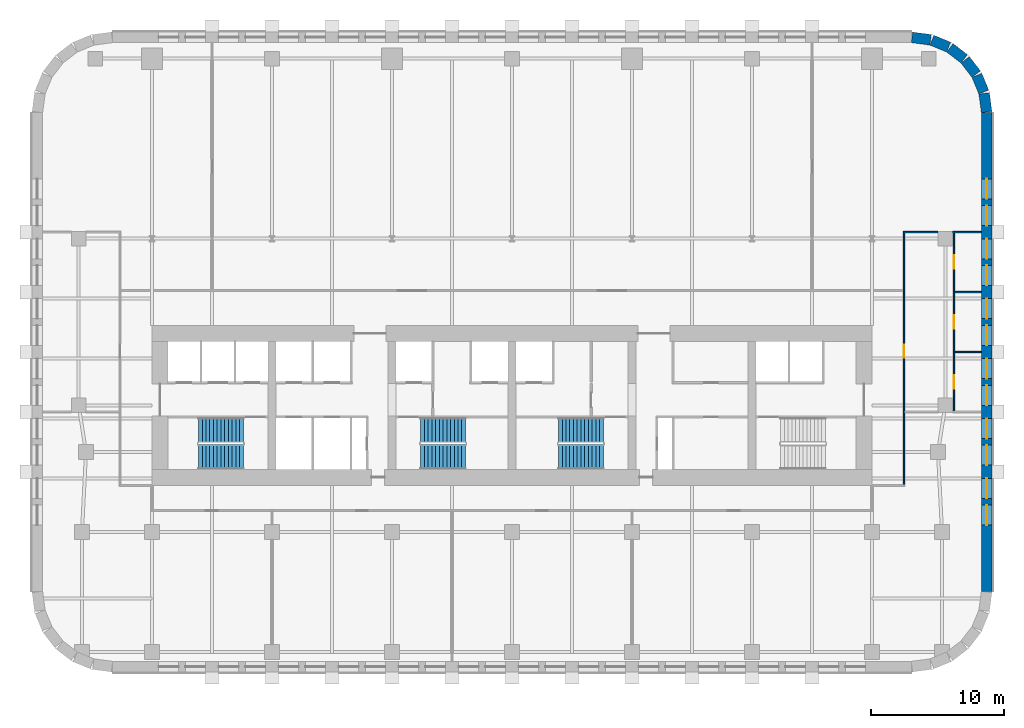
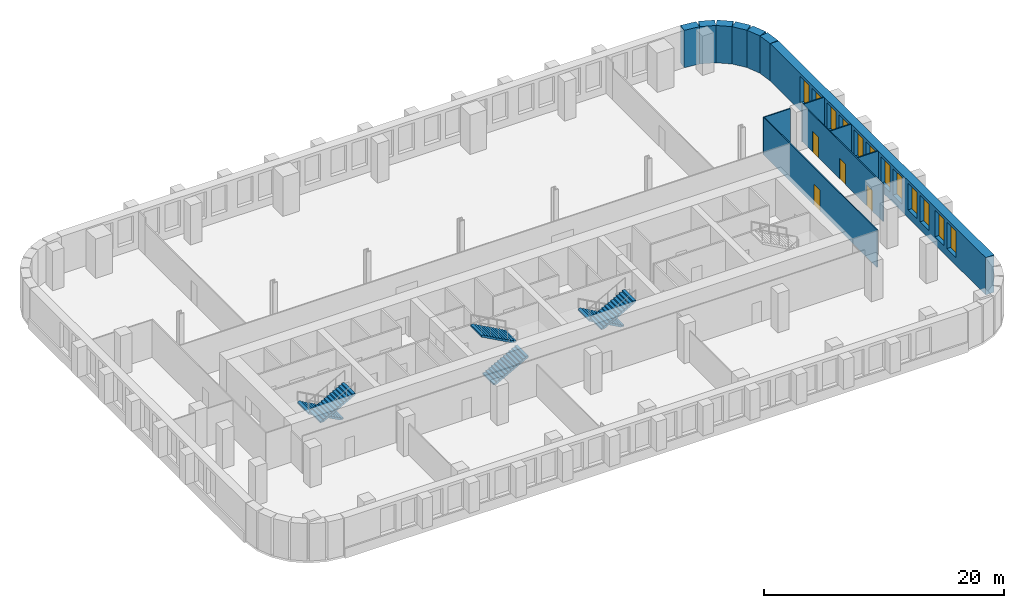
# One storey, part 8 of 11: 13 walls, 12 windows, 6 stair flights, 4 doors, 16 openings, 3 elements without a shape of their own.
"""IFC4 building model written with IfcOpenShell, lengths in metres."""

from ifc_helpers import new_model, si_unit, direction, frame, frame_2d, origin, place, context, subcontext, project, spatial, polyline, rectangle, outline, extrude, material, layer, layer_set, type_object, element, fill, aggregate, save


model = new_model("IFC4")

# Units and contexts
model_context = context("Model", 3, precision=1e-05, world=origin(), true_north=direction((0.0, 1.0)))
body_context = subcontext(model_context, "Body", "Model", "MODEL_VIEW")
ifc_project = project(units=[si_unit("LENGTHUNIT", "METRE"), si_unit("AREAUNIT", "SQUARE_METRE"), si_unit("VOLUMEUNIT", "CUBIC_METRE"), si_unit("PLANEANGLEUNIT", "RADIAN"), si_unit("MASSUNIT", "GRAM", prefix="KILO")], contexts=[model_context])

# Site, building, storey
site_placement = place(None, origin())
site = spatial("IfcSite", under=ifc_project, at=site_placement, CompositionType="ELEMENT")
building_placement = place(site_placement, origin())
building = spatial("IfcBuilding", under=site, at=building_placement, Name="Zellij Exchange Tower", CompositionType="ELEMENT")
storey_placement = place(building_placement, frame((0.0, 0.0, 56.5)))
storey = spatial("IfcBuildingStorey", under=building, at=storey_placement, Name="L10", CompositionType="ELEMENT", Elevation=56.5)

# Wall, openings, windows
ifc_material_1 = material(Name="Precast concrete C40/50", Category="concrete")
ifc_layer_1 = layer(ifc_material_1, 0.800048828125)
ifc_layer_set_1 = layer_set([ifc_layer_1], Name="Precast concrete C40/50")
wall_type_1 = type_object("IfcWallType", Name="ENV-EW1 Precast stone-piered wall 800", PredefinedType="SOLIDWALL", material=ifc_layer_set_1)
wall_1_placement = place(storey_placement, frame((35.60009765625, -21.947509765625, 0.0), z_axis=(0.0, 0.0, 1.0), x_axis=(0.0, 1.0, 0.0)))
wall_1 = element("IfcWall", 1, at=wall_1_placement, inside=storey, type_object=wall_type_1, Name="fac.L10.07", PredefinedType="SOLIDWALL", context=body_context, shape_type="SweptSolid", body=[
    extrude(rectangle(XDim=35.89501953125, YDim=0.800048828125, at=frame_2d((17.947509765625, 0.0))), origin(), (0.0, 0.0, 1.0), 3.800048828125),
])
opening_1_placement = place(wall_1_placement, frame((4.9638671875, 0.0, 0.800048828125)))
opening_1 = element("IfcOpeningElement", 2, at=opening_1_placement, cuts=wall_1, Name="Opening FZ1.25", PredefinedType="OPENING", context=body_context, shape_type="SweptSolid", body=[
    extrude(rectangle(XDim=1.5, YDim=2.699951171875, at=frame_2d((0.75, 1.35009765625))), frame((0.0, 0.412109375, 0.0), z_axis=(0.0, -1.0, 0.0), x_axis=(1.0, 0.0, 0.0)), (0.0, 0.0, 1.0), 0.823974609375),
])
opening_2_placement = place(wall_1_placement, frame((6.9638671875, 0.0, 0.800048828125)))
opening_2 = element("IfcOpeningElement", 3, at=opening_2_placement, cuts=wall_1, Name="Opening FZ1.26", PredefinedType="OPENING", context=body_context, shape_type="SweptSolid", body=[
    extrude(rectangle(XDim=1.5, YDim=2.699951171875, at=frame_2d((0.75, 1.35009765625))), frame((0.0, 0.412109375, 0.0), z_axis=(0.0, -1.0, 0.0), x_axis=(1.0, 0.0, 0.0)), (0.0, 0.0, 1.0), 0.823974609375),
])
opening_3_placement = place(wall_1_placement, frame((9.45751953125, 0.0, 0.800048828125)))
opening_3 = element("IfcOpeningElement", 4, at=opening_3_placement, cuts=wall_1, Name="Opening FZ1.27", PredefinedType="OPENING", context=body_context, shape_type="SweptSolid", body=[
    extrude(rectangle(XDim=1.5, YDim=2.699951171875, at=frame_2d((0.75, 1.35009765625))), frame((0.0, 0.412109375, 0.0), z_axis=(0.0, -1.0, 0.0), x_axis=(1.0, 0.0, 0.0)), (0.0, 0.0, 1.0), 0.823974609375),
])
opening_4_placement = place(wall_1_placement, frame((11.45751953125, 0.0, 0.800048828125)))
opening_4 = element("IfcOpeningElement", 5, at=opening_4_placement, cuts=wall_1, Name="Opening FZ1.28", PredefinedType="OPENING", context=body_context, shape_type="SweptSolid", body=[
    extrude(rectangle(XDim=1.5, YDim=2.699951171875, at=frame_2d((0.75, 1.35009765625))), frame((0.0, 0.412109375, 0.0), z_axis=(0.0, -1.0, 0.0), x_axis=(1.0, 0.0, 0.0)), (0.0, 0.0, 1.0), 0.823974609375),
])
opening_5_placement = place(wall_1_placement, frame((13.950927734375, 0.0, 0.800048828125)))
opening_5 = element("IfcOpeningElement", 6, at=opening_5_placement, cuts=wall_1, Name="Opening FZ1.29", PredefinedType="OPENING", context=body_context, shape_type="SweptSolid", body=[
    extrude(rectangle(XDim=1.5, YDim=2.699951171875, at=frame_2d((0.75, 1.35009765625))), frame((0.0, 0.412109375, 0.0), z_axis=(0.0, -1.0, 0.0), x_axis=(1.0, 0.0, 0.0)), (0.0, 0.0, 1.0), 0.823974609375),
])
opening_6_placement = place(wall_1_placement, frame((15.95068359375, 0.0, 0.800048828125)))
opening_6 = element("IfcOpeningElement", 7, at=opening_6_placement, cuts=wall_1, Name="Opening FZ1.30", PredefinedType="OPENING", context=body_context, shape_type="SweptSolid", body=[
    extrude(rectangle(XDim=1.5, YDim=2.699951171875, at=frame_2d((0.75, 1.35009765625))), frame((0.0, 0.412109375, 0.0), z_axis=(0.0, -1.0, 0.0), x_axis=(1.0, 0.0, 0.0)), (0.0, 0.0, 1.0), 0.823974609375),
])
opening_7_placement = place(wall_1_placement, frame((18.4443359375, 0.0, 0.800048828125)))
opening_7 = element("IfcOpeningElement", 8, at=opening_7_placement, cuts=wall_1, Name="Opening FZ1.31", PredefinedType="OPENING", context=body_context, shape_type="SweptSolid", body=[
    extrude(rectangle(XDim=1.5, YDim=2.699951171875, at=frame_2d((0.75, 1.35009765625))), frame((0.0, 0.412109375, 0.0), z_axis=(0.0, -1.0, 0.0), x_axis=(1.0, 0.0, 0.0)), (0.0, 0.0, 1.0), 0.823974609375),
])
opening_8_placement = place(wall_1_placement, frame((20.4443359375, 0.0, 0.800048828125)))
opening_8 = element("IfcOpeningElement", 9, at=opening_8_placement, cuts=wall_1, Name="Opening FZ1.32", PredefinedType="OPENING", context=body_context, shape_type="SweptSolid", body=[
    extrude(rectangle(XDim=1.5, YDim=2.699951171875, at=frame_2d((0.75, 1.35009765625))), frame((0.0, 0.412109375, 0.0), z_axis=(0.0, -1.0, 0.0), x_axis=(1.0, 0.0, 0.0)), (0.0, 0.0, 1.0), 0.823974609375),
])
opening_9_placement = place(wall_1_placement, frame((22.937744140625, 0.0, 0.800048828125)))
opening_9 = element("IfcOpeningElement", 10, at=opening_9_placement, cuts=wall_1, Name="Opening FZ1.33", PredefinedType="OPENING", context=body_context, shape_type="SweptSolid", body=[
    extrude(rectangle(XDim=1.5, YDim=2.699951171875, at=frame_2d((0.75, 1.35009765625))), frame((0.0, 0.412109375, 0.0), z_axis=(0.0, -1.0, 0.0), x_axis=(1.0, 0.0, 0.0)), (0.0, 0.0, 1.0), 0.823974609375),
])
opening_10_placement = place(wall_1_placement, frame((24.937744140625, 0.0, 0.800048828125)))
opening_10 = element("IfcOpeningElement", 11, at=opening_10_placement, cuts=wall_1, Name="Opening FZ1.34", PredefinedType="OPENING", context=body_context, shape_type="SweptSolid", body=[
    extrude(rectangle(XDim=1.5, YDim=2.699951171875, at=frame_2d((0.75, 1.35009765625))), frame((0.0, 0.412109375, 0.0), z_axis=(0.0, -1.0, 0.0), x_axis=(1.0, 0.0, 0.0)), (0.0, 0.0, 1.0), 0.823974609375),
])
opening_11_placement = place(wall_1_placement, frame((27.43115234375, 0.0, 0.800048828125)))
opening_11 = element("IfcOpeningElement", 12, at=opening_11_placement, cuts=wall_1, Name="Opening FZ1.35", PredefinedType="OPENING", context=body_context, shape_type="SweptSolid", body=[
    extrude(rectangle(XDim=1.5, YDim=2.699951171875, at=frame_2d((0.75, 1.35009765625))), frame((0.0, 0.412109375, 0.0), z_axis=(0.0, -1.0, 0.0), x_axis=(1.0, 0.0, 0.0)), (0.0, 0.0, 1.0), 0.823974609375),
])
opening_12_placement = place(wall_1_placement, frame((29.43115234375, 0.0, 0.800048828125)))
opening_12 = element("IfcOpeningElement", 13, at=opening_12_placement, cuts=wall_1, Name="Opening FZ1.36", PredefinedType="OPENING", context=body_context, shape_type="SweptSolid", body=[
    extrude(rectangle(XDim=1.5, YDim=2.699951171875, at=frame_2d((0.75, 1.35009765625))), frame((0.0, 0.412109375, 0.0), z_axis=(0.0, -1.0, 0.0), x_axis=(1.0, 0.0, 0.0)), (0.0, 0.0, 1.0), 0.823974609375),
])
ifc_material_2 = material(Name="Aluminium frame with insulating glass", Category="aluminium")
window_type = type_object("IfcWindowType", Name="ENV-W6 Window 1500x2700", PartitioningType="SINGLE_PANEL", PredefinedType="WINDOW", material=ifc_material_2)
window_1_placement = place(opening_1_placement, origin())
window_1 = element("IfcWindow", 14, at=window_1_placement, inside=storey, type_object=window_type, Name="Window FZ1.25", OverallHeight=2.699951171875, OverallWidth=1.5, PartitioningType="SINGLE_PANEL", PredefinedType="WINDOW", context=body_context, shape_type="SweptSolid", body=[
    extrude(rectangle(XDim=1.5, YDim=2.699951171875, at=frame_2d((0.75, 1.35009765625))), frame((0.0, 0.030029296875, 0.0), z_axis=(0.0, -1.0, 0.0), x_axis=(1.0, 0.0, 0.0)), (0.0, 0.0, 1.0), 0.06005859375),
])
fill(opening_1, window_1)
window_2_placement = place(opening_2_placement, origin())
window_2 = element("IfcWindow", 15, at=window_2_placement, inside=storey, type_object=window_type, Name="Window FZ1.26", OverallHeight=2.699951171875, OverallWidth=1.5, PartitioningType="SINGLE_PANEL", PredefinedType="WINDOW", context=body_context, shape_type="SweptSolid", body=[
    extrude(rectangle(XDim=1.5, YDim=2.699951171875, at=frame_2d((0.75, 1.35009765625))), frame((0.0, 0.030029296875, 0.0), z_axis=(0.0, -1.0, 0.0), x_axis=(1.0, 0.0, 0.0)), (0.0, 0.0, 1.0), 0.06005859375),
])
fill(opening_2, window_2)
window_3_placement = place(opening_3_placement, origin())
window_3 = element("IfcWindow", 16, at=window_3_placement, inside=storey, type_object=window_type, Name="Window FZ1.27", OverallHeight=2.699951171875, OverallWidth=1.5, PartitioningType="SINGLE_PANEL", PredefinedType="WINDOW", context=body_context, shape_type="SweptSolid", body=[
    extrude(rectangle(XDim=1.5, YDim=2.699951171875, at=frame_2d((0.75, 1.35009765625))), frame((0.0, 0.030029296875, 0.0), z_axis=(0.0, -1.0, 0.0), x_axis=(1.0, 0.0, 0.0)), (0.0, 0.0, 1.0), 0.06005859375),
])
fill(opening_3, window_3)
window_4_placement = place(opening_4_placement, origin())
window_4 = element("IfcWindow", 17, at=window_4_placement, inside=storey, type_object=window_type, Name="Window FZ1.28", OverallHeight=2.699951171875, OverallWidth=1.5, PartitioningType="SINGLE_PANEL", PredefinedType="WINDOW", context=body_context, shape_type="SweptSolid", body=[
    extrude(rectangle(XDim=1.5, YDim=2.699951171875, at=frame_2d((0.75, 1.35009765625))), frame((0.0, 0.030029296875, 0.0), z_axis=(0.0, -1.0, 0.0), x_axis=(1.0, 0.0, 0.0)), (0.0, 0.0, 1.0), 0.06005859375),
])
fill(opening_4, window_4)
window_5_placement = place(opening_5_placement, origin())
window_5 = element("IfcWindow", 18, at=window_5_placement, inside=storey, type_object=window_type, Name="Window FZ1.29", OverallHeight=2.699951171875, OverallWidth=1.5, PartitioningType="SINGLE_PANEL", PredefinedType="WINDOW", context=body_context, shape_type="SweptSolid", body=[
    extrude(rectangle(XDim=1.5, YDim=2.699951171875, at=frame_2d((0.75, 1.35009765625))), frame((0.0, 0.030029296875, 0.0), z_axis=(0.0, -1.0, 0.0), x_axis=(1.0, 0.0, 0.0)), (0.0, 0.0, 1.0), 0.06005859375),
])
fill(opening_5, window_5)
window_6_placement = place(opening_6_placement, origin())
window_6 = element("IfcWindow", 19, at=window_6_placement, inside=storey, type_object=window_type, Name="Window FZ1.30", OverallHeight=2.699951171875, OverallWidth=1.5, PartitioningType="SINGLE_PANEL", PredefinedType="WINDOW", context=body_context, shape_type="SweptSolid", body=[
    extrude(rectangle(XDim=1.5, YDim=2.699951171875, at=frame_2d((0.75, 1.35009765625))), frame((0.0, 0.030029296875, 0.0), z_axis=(0.0, -1.0, 0.0), x_axis=(1.0, 0.0, 0.0)), (0.0, 0.0, 1.0), 0.06005859375),
])
fill(opening_6, window_6)
window_7_placement = place(opening_7_placement, origin())
window_7 = element("IfcWindow", 20, at=window_7_placement, inside=storey, type_object=window_type, Name="Window FZ1.31", OverallHeight=2.699951171875, OverallWidth=1.5, PartitioningType="SINGLE_PANEL", PredefinedType="WINDOW", context=body_context, shape_type="SweptSolid", body=[
    extrude(rectangle(XDim=1.5, YDim=2.699951171875, at=frame_2d((0.75, 1.35009765625))), frame((0.0, 0.030029296875, 0.0), z_axis=(0.0, -1.0, 0.0), x_axis=(1.0, 0.0, 0.0)), (0.0, 0.0, 1.0), 0.06005859375),
])
fill(opening_7, window_7)
window_8_placement = place(opening_8_placement, origin())
window_8 = element("IfcWindow", 21, at=window_8_placement, inside=storey, type_object=window_type, Name="Window FZ1.32", OverallHeight=2.699951171875, OverallWidth=1.5, PartitioningType="SINGLE_PANEL", PredefinedType="WINDOW", context=body_context, shape_type="SweptSolid", body=[
    extrude(rectangle(XDim=1.5, YDim=2.699951171875, at=frame_2d((0.75, 1.35009765625))), frame((0.0, 0.030029296875, 0.0), z_axis=(0.0, -1.0, 0.0), x_axis=(1.0, 0.0, 0.0)), (0.0, 0.0, 1.0), 0.06005859375),
])
fill(opening_8, window_8)
window_9_placement = place(opening_9_placement, origin())
window_9 = element("IfcWindow", 22, at=window_9_placement, inside=storey, type_object=window_type, Name="Window FZ1.33", OverallHeight=2.699951171875, OverallWidth=1.5, PartitioningType="SINGLE_PANEL", PredefinedType="WINDOW", context=body_context, shape_type="SweptSolid", body=[
    extrude(rectangle(XDim=1.5, YDim=2.699951171875, at=frame_2d((0.75, 1.35009765625))), frame((0.0, 0.030029296875, 0.0), z_axis=(0.0, -1.0, 0.0), x_axis=(1.0, 0.0, 0.0)), (0.0, 0.0, 1.0), 0.06005859375),
])
fill(opening_9, window_9)
window_10_placement = place(opening_10_placement, origin())
window_10 = element("IfcWindow", 23, at=window_10_placement, inside=storey, type_object=window_type, Name="Window FZ1.34", OverallHeight=2.699951171875, OverallWidth=1.5, PartitioningType="SINGLE_PANEL", PredefinedType="WINDOW", context=body_context, shape_type="SweptSolid", body=[
    extrude(rectangle(XDim=1.5, YDim=2.699951171875, at=frame_2d((0.75, 1.35009765625))), frame((0.0, 0.030029296875, 0.0), z_axis=(0.0, -1.0, 0.0), x_axis=(1.0, 0.0, 0.0)), (0.0, 0.0, 1.0), 0.06005859375),
])
fill(opening_10, window_10)
window_11_placement = place(opening_11_placement, origin())
window_11 = element("IfcWindow", 24, at=window_11_placement, inside=storey, type_object=window_type, Name="Window FZ1.35", OverallHeight=2.699951171875, OverallWidth=1.5, PartitioningType="SINGLE_PANEL", PredefinedType="WINDOW", context=body_context, shape_type="SweptSolid", body=[
    extrude(rectangle(XDim=1.5, YDim=2.699951171875, at=frame_2d((0.75, 1.35009765625))), frame((0.0, 0.030029296875, 0.0), z_axis=(0.0, -1.0, 0.0), x_axis=(1.0, 0.0, 0.0)), (0.0, 0.0, 1.0), 0.06005859375),
])
fill(opening_11, window_11)
window_12_placement = place(opening_12_placement, origin())
window_12 = element("IfcWindow", 25, at=window_12_placement, inside=storey, type_object=window_type, Name="Window FZ1.36", OverallHeight=2.699951171875, OverallWidth=1.5, PartitioningType="SINGLE_PANEL", PredefinedType="WINDOW", context=body_context, shape_type="SweptSolid", body=[
    extrude(rectangle(XDim=1.5, YDim=2.699951171875, at=frame_2d((0.75, 1.35009765625))), frame((0.0, 0.030029296875, 0.0), z_axis=(0.0, -1.0, 0.0), x_axis=(1.0, 0.0, 0.0)), (0.0, 0.0, 1.0), 0.06005859375),
])
fill(opening_12, window_12)

# Walls
wall_2_placement = place(storey_placement, frame((35.5966796875, 13.999755859375, 0.0), z_axis=(0.0, 0.0, 1.0), x_axis=(-0.130517283865, 0.99144603414, 0.0)))
element("IfcWall", 26, at=wall_2_placement, inside=storey, type_object=wall_type_1, Name="fac.L10.08", PredefinedType="SOLIDWALL", context=body_context, shape_type="SweptSolid", body=[
    extrude(rectangle(XDim=1.408447265625, YDim=0.800048828125, at=frame_2d((0.7041015625, 0.0))), origin(), (0.0, 0.0, 1.0), 3.800048828125),
])
wall_3_placement = place(storey_placement, frame((35.3857421875, 15.497314453125, 0.0), z_axis=(0.0, 0.0, 1.0), x_axis=(-0.38276009378, 0.923847774587, 0.0)))
element("IfcWall", 27, at=wall_3_placement, inside=storey, type_object=wall_type_1, Name="fac.L10.09", PredefinedType="SOLIDWALL", context=body_context, shape_type="SweptSolid", body=[
    extrude(rectangle(XDim=1.35546875, YDim=0.800048828125, at=frame_2d((0.677734375, 0.0))), origin(), (0.0, 0.0, 1.0), 3.800048828125),
])
for number, where, z_axis, x_axis, name in (
    (28, (34.814697265625, 16.840087890625, 0.0), (0.0, 0.0, 1.0), (-0.608866226366, 0.793272915452, 0.0), "fac.L10.10"),
    (29, (33.91552734375, 17.9892578125, 0.0), (0.0, 0.0, 1.0), (-0.793272915452, 0.608866226366, 0.0), "fac.L10.11"),
):
    element("IfcWall", number, at=place(storey_placement, frame(where, z_axis=z_axis, x_axis=x_axis)), inside=storey, type_object=wall_type_1, Name=name, PredefinedType="SOLIDWALL", context=body_context, shape_type="SweptSolid", body=[
        extrude(rectangle(XDim=1.355712890625, YDim=0.800048828125, at=frame_2d((0.677734375, 0.0))), origin(), (0.0, 0.0, 1.0), 3.800048828125),
    ])
wall_4_placement = place(storey_placement, frame((32.74951171875, 18.866943359375, 0.0), z_axis=(0.0, 0.0, 1.0), x_axis=(-0.923847774587, 0.38276009378, 0.0)))
element("IfcWall", 30, at=wall_4_placement, inside=storey, type_object=wall_type_1, Name="fac.L10.12", PredefinedType="SOLIDWALL", context=body_context, shape_type="SweptSolid", body=[
    extrude(rectangle(XDim=1.35546875, YDim=0.800048828125, at=frame_2d((0.677734375, 0.0))), origin(), (0.0, 0.0, 1.0), 3.800048828125),
])
wall_5_placement = place(storey_placement, frame((31.396240234375, 19.412841796875, 0.0), z_axis=(0.0, 0.0, 1.0), x_axis=(-0.99144603414, 0.130517283865, 0.0)))
element("IfcWall", 31, at=wall_5_placement, inside=storey, type_object=wall_type_1, Name="fac.L10.13", PredefinedType="SOLIDWALL", context=body_context, shape_type="SweptSolid", body=[
    extrude(rectangle(XDim=1.408447265625, YDim=0.800048828125, at=frame_2d((0.7041015625, 0.0))), origin(), (0.0, 0.0, 1.0), 3.800048828125),
])

# Wall, opening, door
ifc_material_3 = material(Name="Gypsum board partition on steel studs", Category="steel")
ifc_layer_2 = layer(ifc_material_3, 0.10009765625)
ifc_layer_set_2 = layer_set([ifc_layer_2], Name="Gypsum board partition on steel studs")
wall_type_2 = type_object("IfcWallType", Name="FIT-PARTITION-100", PredefinedType="PARTITIONING", material=ifc_layer_set_2)
wall_6_placement = place(storey_placement, frame((29.39990234375, -13.949951171875, 0.0), z_axis=(0.0, 0.0, 1.0), x_axis=(0.0, 1.0, 0.0)))
wall_6 = element("IfcWall", 32, at=wall_6_placement, inside=storey, type_object=wall_type_2, Name="FIT-PARTITION-100 013", PredefinedType="PARTITIONING", context=body_context, shape_type="SweptSolid", body=[
    extrude(rectangle(XDim=18.889892578125, YDim=0.10009765625, at=frame_2d((9.44482421875, 0.0))), origin(), (0.0, 0.0, 1.0), 3.800048828125),
])
opening_13_placement = place(wall_6_placement, frame((9.510009765625, 0.0, 0.0)))
opening_13 = element("IfcOpeningElement", 33, at=opening_13_placement, cuts=wall_6, Name="Opening TA.07", PredefinedType="OPENING", context=body_context, shape_type="SweptSolid", body=[
    extrude(rectangle(XDim=1.0, YDim=2.10009765625, at=frame_2d((0.5, 1.050048828125))), frame((0.0, 0.06201171875, 0.0), z_axis=(0.0, -1.0, 0.0), x_axis=(1.0, 0.0, 0.0)), (0.0, 0.0, 1.0), 0.1240234375),
])
ifc_material_4 = material(Name="Timber door set", Category="wood")
door_type = type_object("IfcDoorType", Name="FIT-D2-WIDE-1000X2100", OperationType="SINGLE_SWING_LEFT", PredefinedType="DOOR", material=ifc_material_4)
door_1_placement = place(opening_13_placement, origin())
door_1 = element("IfcDoor", 34, at=door_1_placement, inside=storey, type_object=door_type, Name="Door TA.07", OperationType="SINGLE_SWING_LEFT", OverallHeight=2.10009765625, OverallWidth=1.0, PredefinedType="DOOR", context=body_context, shape_type="SweptSolid", body=[
    extrude(rectangle(XDim=1.0, YDim=2.10009765625, at=frame_2d((0.5, 1.050048828125))), frame((0.0, 0.02490234375, 0.0), z_axis=(0.0, -1.0, 0.0), x_axis=(1.0, 0.0, 0.0)), (0.0, 0.0, 1.0), 0.050048828125),
])
fill(opening_13, door_1)

# Wall, openings, doors
wall_7_placement = place(storey_placement, frame((33.14990234375, -8.43994140625, 0.0), z_axis=(0.0, 0.0, 1.0), x_axis=(0.0, 1.0, 0.0)))
wall_7 = element("IfcWall", 35, at=wall_7_placement, inside=storey, type_object=wall_type_2, Name="FIT-PARTITION-100 018", PredefinedType="PARTITIONING", context=body_context, shape_type="SweptSolid", body=[
    extrude(rectangle(XDim=13.3798828125, YDim=0.10009765625, at=frame_2d((6.68994140625, 0.0))), origin(), (0.0, 0.0, 1.0), 3.800048828125),
])
opening_14_placement = place(wall_7_placement, frame((1.699951171875, 0.0, 0.0)))
opening_14 = element("IfcOpeningElement", 36, at=opening_14_placement, cuts=wall_7, Name="Opening TA.05", PredefinedType="OPENING", context=body_context, shape_type="SweptSolid", body=[
    extrude(rectangle(XDim=1.0, YDim=2.10009765625, at=frame_2d((0.5, 1.050048828125))), frame((0.0, 0.06201171875, 0.0), z_axis=(0.0, -1.0, 0.0), x_axis=(1.0, 0.0, 0.0)), (0.0, 0.0, 1.0), 0.1240234375),
])
opening_15_placement = place(wall_7_placement, frame((6.18994140625, 0.0, 0.0)))
opening_15 = element("IfcOpeningElement", 37, at=opening_15_placement, cuts=wall_7, Name="Opening TA.08", PredefinedType="OPENING", context=body_context, shape_type="SweptSolid", body=[
    extrude(rectangle(XDim=1.0, YDim=2.10009765625, at=frame_2d((0.5, 1.050048828125))), frame((0.0, 0.06201171875, 0.0), z_axis=(0.0, -1.0, 0.0), x_axis=(1.0, 0.0, 0.0)), (0.0, 0.0, 1.0), 0.1240234375),
])
opening_16_placement = place(wall_7_placement, frame((10.679931640625, 0.0, 0.0)))
opening_16 = element("IfcOpeningElement", 38, at=opening_16_placement, cuts=wall_7, Name="Opening TA.11", PredefinedType="OPENING", context=body_context, shape_type="SweptSolid", body=[
    extrude(rectangle(XDim=1.0, YDim=2.10009765625, at=frame_2d((0.5, 1.050048828125))), frame((0.0, 0.06201171875, 0.0), z_axis=(0.0, -1.0, 0.0), x_axis=(1.0, 0.0, 0.0)), (0.0, 0.0, 1.0), 0.1240234375),
])
door_2_placement = place(opening_14_placement, origin())
door_2 = element("IfcDoor", 39, at=door_2_placement, inside=storey, type_object=door_type, Name="Door TA.05", OperationType="SINGLE_SWING_RIGHT", OverallHeight=2.10009765625, OverallWidth=1.0, PredefinedType="DOOR", context=body_context, shape_type="SweptSolid", body=[
    extrude(rectangle(XDim=1.0, YDim=2.10009765625, at=frame_2d((0.5, 1.050048828125))), frame((0.0, 0.02490234375, 0.0), z_axis=(0.0, -1.0, 0.0), x_axis=(1.0, 0.0, 0.0)), (0.0, 0.0, 1.0), 0.050048828125),
])
fill(opening_14, door_2)
door_3_placement = place(opening_15_placement, origin())
door_3 = element("IfcDoor", 40, at=door_3_placement, inside=storey, type_object=door_type, Name="Door TA.08", OperationType="SINGLE_SWING_RIGHT", OverallHeight=2.10009765625, OverallWidth=1.0, PredefinedType="DOOR", context=body_context, shape_type="SweptSolid", body=[
    extrude(rectangle(XDim=1.0, YDim=2.10009765625, at=frame_2d((0.5, 1.050048828125))), frame((0.0, 0.02490234375, 0.0), z_axis=(0.0, -1.0, 0.0), x_axis=(1.0, 0.0, 0.0)), (0.0, 0.0, 1.0), 0.050048828125),
])
fill(opening_15, door_3)
door_4_placement = place(opening_16_placement, origin())
door_4 = element("IfcDoor", 41, at=door_4_placement, inside=storey, type_object=door_type, Name="Door TA.11", OperationType="SINGLE_SWING_LEFT", OverallHeight=2.10009765625, OverallWidth=1.0, PredefinedType="DOOR", context=body_context, shape_type="SweptSolid", body=[
    extrude(rectangle(XDim=1.0, YDim=2.10009765625, at=frame_2d((0.5, 1.050048828125))), frame((0.0, 0.02490234375, 0.0), z_axis=(0.0, -1.0, 0.0), x_axis=(1.0, 0.0, 0.0)), (0.0, 0.0, 1.0), 0.050048828125),
])
fill(opening_16, door_4)

# Walls
for number, where, z_axis, x_axis, name in (
    (42, (33.199951171875, -4.0, 0.0), (0.0, 0.0, 1.0), (1.0, 0.0, 0.0), "FIT-PARTITION-100 019"),
    (43, (33.199951171875, 0.489990234375, 0.0), (0.0, 0.0, 1.0), (1.0, 0.0, 0.0), "FIT-PARTITION-100 020"),
):
    element("IfcWall", number, at=place(storey_placement, frame(where, z_axis=z_axis, x_axis=x_axis)), inside=storey, type_object=wall_type_2, Name=name, PredefinedType="PARTITIONING", context=body_context, shape_type="SweptSolid", body=[
        extrude(rectangle(XDim=2.0, YDim=0.10009765625, at=frame_2d((1.0, 0.0))), origin(), (0.0, 0.0, 1.0), 3.800048828125),
    ])
wall_8_placement = place(storey_placement, frame((29.35009765625, 4.989990234375, 0.0), z_axis=(0.0, 0.0, 1.0), x_axis=(1.0, 0.0, 0.0)))
element("IfcWall", 44, at=wall_8_placement, inside=storey, type_object=wall_type_2, Name="FIT-PARTITION-100 028", PredefinedType="PARTITIONING", context=body_context, shape_type="SweptSolid", body=[
    extrude(rectangle(XDim=2.599853515625, YDim=0.10009765625, at=frame_2d((1.2998046875, 0.0))), origin(), (0.0, 0.0, 1.0), 3.800048828125),
])
wall_9_placement = place(storey_placement, frame((33.050048828125, 4.989990234375, 0.0), z_axis=(0.0, 0.0, 1.0), x_axis=(1.0, 0.0, 0.0)))
element("IfcWall", 45, at=wall_9_placement, inside=storey, type_object=wall_type_2, Name="FIT-PARTITION-100 029", PredefinedType="PARTITIONING", context=body_context, shape_type="SweptSolid", body=[
    extrude(rectangle(XDim=2.14990234375, YDim=0.10009765625, at=frame_2d((1.074951171875, 0.0))), origin(), (0.0, 0.0, 1.0), 3.800048828125),
])

# Stair, stair flights
ifc_material_5 = material(Name="Concrete C40/50", Category="concrete")
stair_type = type_object("IfcStairType", Name="CORE-ST exit stair 1850 wide", PredefinedType="HALF_TURN_STAIR", material=ifc_material_5)
stair_1_placement = place(storey_placement, origin())
stair_1 = element("IfcStair", 46, at=stair_1_placement, inside=storey, type_object=stair_type, Name="L10 exit stair ST1", PredefinedType="HALF_TURN_STAIR")
stair_flight_type = type_object("IfcStairFlightType", Name="CORE-SF flight 1850 riser 153.8 going 280", PredefinedType="STRAIGHT", material=ifc_material_5)
stair_flight_1_placement = place(storey_placement, frame((-20.14990234375, -9.875, 0.0), z_axis=(0.0, 0.0, 1.0), x_axis=(-1.0, 0.0, 0.0)))
stair_flight_1 = element("IfcStairFlight", 47, at=stair_flight_1_placement, type_object=stair_flight_type, Name="ST1 flight 1", NumberOfRisers=13, NumberOfTreads=12, PredefinedType="STRAIGHT", RiserHeight=0.153846154, TreadLength=0.28, context=body_context, shape_type="SweptSolid", body=[
    extrude(outline(polyline([(0.0, 0.0), (0.0, 0.15380859375), (0.280029296875, 0.15380859375), (0.280029296875, 0.3076171875), (0.56005859375, 0.3076171875), (0.56005859375, 0.46142578125), (0.840087890625, 0.46142578125), (0.840087890625, 0.615478515625), (1.1201171875, 0.615478515625), (1.1201171875, 0.769287109375), (1.39990234375, 0.769287109375), (1.39990234375, 0.923095703125), (1.679931640625, 0.923095703125), (1.679931640625, 1.076904296875), (1.9599609375, 1.076904296875), (1.9599609375, 1.230712890625), (2.239990234375, 1.230712890625), (2.239990234375, 1.384521484375), (2.52001953125, 1.384521484375), (2.52001953125, 1.53857421875), (2.800048828125, 1.53857421875), (2.800048828125, 1.6923828125), (3.080078125, 1.6923828125), (3.080078125, 1.84619140625), (3.360107421875, 1.84619140625), (3.360107421875, 2.0), (3.360107421875, 1.675048828125), (0.311279296875, 0.0), (0.0, 0.0)])), frame((0.0, 0.925048828125, 0.0), z_axis=(0.0, -1.0, 0.0), x_axis=(1.0, 0.0, 0.0)), (0.0, 0.0, 1.0), 1.85009765625),
])
stair_flight_2_placement = place(storey_placement, frame((-23.510009765625, -11.875, 2.0), z_axis=(0.0, 0.0, 1.0), x_axis=(1.0, 0.0, 0.0)))
stair_flight_2 = element("IfcStairFlight", 48, at=stair_flight_2_placement, type_object=stair_flight_type, Name="ST1 flight 2", NumberOfRisers=13, NumberOfTreads=12, PredefinedType="STRAIGHT", RiserHeight=0.153846154, TreadLength=0.28, context=body_context, shape_type="SweptSolid", body=[
    extrude(outline(polyline([(0.0, 0.0), (0.0, 0.15380859375), (0.280029296875, 0.15380859375), (0.280029296875, 0.3076171875), (0.56005859375, 0.3076171875), (0.56005859375, 0.46142578125), (0.840087890625, 0.46142578125), (0.840087890625, 0.615478515625), (1.1201171875, 0.615478515625), (1.1201171875, 0.769287109375), (1.39990234375, 0.769287109375), (1.39990234375, 0.923095703125), (1.679931640625, 0.923095703125), (1.679931640625, 1.076904296875), (1.9599609375, 1.076904296875), (1.9599609375, 1.230712890625), (2.239990234375, 1.230712890625), (2.239990234375, 1.384521484375), (2.52001953125, 1.384521484375), (2.52001953125, 1.53857421875), (2.800048828125, 1.53857421875), (2.800048828125, 1.6923828125), (3.080078125, 1.6923828125), (3.080078125, 1.84619140625), (3.360107421875, 1.84619140625), (3.360107421875, 2.0), (3.360107421875, 1.675048828125), (0.311279296875, 0.0), (0.0, 0.0)])), frame((0.0, 0.925048828125, 0.0), z_axis=(0.0, -1.0, 0.0), x_axis=(1.0, 0.0, 0.0)), (0.0, 0.0, 1.0), 1.85009765625),
])
aggregate(stair_1, [stair_flight_1, stair_flight_2])

stair_2_placement = place(storey_placement, origin())
stair_2 = element("IfcStair", 49, at=stair_2_placement, inside=storey, type_object=stair_type, Name="L10 exit stair ST2", PredefinedType="HALF_TURN_STAIR")
stair_flight_3_placement = place(storey_placement, frame((-6.85009765625, -11.875, 0.0), z_axis=(0.0, 0.0, 1.0), x_axis=(1.0, 0.0, 0.0)))
stair_flight_3 = element("IfcStairFlight", 50, at=stair_flight_3_placement, type_object=stair_flight_type, Name="ST2 flight 1", NumberOfRisers=13, NumberOfTreads=12, PredefinedType="STRAIGHT", RiserHeight=0.153846154, TreadLength=0.28, context=body_context, shape_type="SweptSolid", body=[
    extrude(outline(polyline([(0.0, 0.0), (0.0, 0.15380859375), (0.280029296875, 0.15380859375), (0.280029296875, 0.3076171875), (0.56005859375, 0.3076171875), (0.56005859375, 0.46142578125), (0.840087890625, 0.46142578125), (0.840087890625, 0.615478515625), (1.1201171875, 0.615478515625), (1.1201171875, 0.769287109375), (1.39990234375, 0.769287109375), (1.39990234375, 0.923095703125), (1.679931640625, 0.923095703125), (1.679931640625, 1.076904296875), (1.9599609375, 1.076904296875), (1.9599609375, 1.230712890625), (2.239990234375, 1.230712890625), (2.239990234375, 1.384521484375), (2.52001953125, 1.384521484375), (2.52001953125, 1.53857421875), (2.800048828125, 1.53857421875), (2.800048828125, 1.6923828125), (3.080078125, 1.6923828125), (3.080078125, 1.84619140625), (3.360107421875, 1.84619140625), (3.360107421875, 2.0), (3.360107421875, 1.675048828125), (0.311279296875, 0.0), (0.0, 0.0)])), frame((0.0, 0.925048828125, 0.0), z_axis=(0.0, -1.0, 0.0), x_axis=(1.0, 0.0, 0.0)), (0.0, 0.0, 1.0), 1.85009765625),
])
stair_flight_4_placement = place(storey_placement, frame((-3.489990234375, -9.875, 2.0), z_axis=(0.0, 0.0, 1.0), x_axis=(-1.0, 0.0, 0.0)))
stair_flight_4 = element("IfcStairFlight", 51, at=stair_flight_4_placement, type_object=stair_flight_type, Name="ST2 flight 2", NumberOfRisers=13, NumberOfTreads=12, PredefinedType="STRAIGHT", RiserHeight=0.153846154, TreadLength=0.28, context=body_context, shape_type="SweptSolid", body=[
    extrude(outline(polyline([(0.0, 0.0), (0.0, 0.15380859375), (0.280029296875, 0.15380859375), (0.280029296875, 0.3076171875), (0.56005859375, 0.3076171875), (0.56005859375, 0.46142578125), (0.840087890625, 0.46142578125), (0.840087890625, 0.615478515625), (1.1201171875, 0.615478515625), (1.1201171875, 0.769287109375), (1.39990234375, 0.769287109375), (1.39990234375, 0.923095703125), (1.679931640625, 0.923095703125), (1.679931640625, 1.076904296875), (1.9599609375, 1.076904296875), (1.9599609375, 1.230712890625), (2.239990234375, 1.230712890625), (2.239990234375, 1.384521484375), (2.52001953125, 1.384521484375), (2.52001953125, 1.53857421875), (2.800048828125, 1.53857421875), (2.800048828125, 1.6923828125), (3.080078125, 1.6923828125), (3.080078125, 1.84619140625), (3.360107421875, 1.84619140625), (3.360107421875, 2.0), (3.360107421875, 1.675048828125), (0.311279296875, 0.0), (0.0, 0.0)])), frame((0.0, 0.925048828125, 0.0), z_axis=(0.0, -1.0, 0.0), x_axis=(1.0, 0.0, 0.0)), (0.0, 0.0, 1.0), 1.85009765625),
])
aggregate(stair_2, [stair_flight_3, stair_flight_4])

stair_3_placement = place(storey_placement, origin())
stair_3 = element("IfcStair", 52, at=stair_3_placement, inside=storey, type_object=stair_type, Name="L10 exit stair ST3", PredefinedType="HALF_TURN_STAIR")
stair_flight_5_placement = place(storey_placement, frame((6.85009765625, -9.875, 0.0), z_axis=(0.0, 0.0, 1.0), x_axis=(-1.0, 0.0, 0.0)))
stair_flight_5 = element("IfcStairFlight", 53, at=stair_flight_5_placement, type_object=stair_flight_type, Name="ST3 flight 1", NumberOfRisers=13, NumberOfTreads=12, PredefinedType="STRAIGHT", RiserHeight=0.153846154, TreadLength=0.28, context=body_context, shape_type="SweptSolid", body=[
    extrude(outline(polyline([(0.0, 0.0), (0.0, 0.15380859375), (0.280029296875, 0.15380859375), (0.280029296875, 0.3076171875), (0.56005859375, 0.3076171875), (0.56005859375, 0.46142578125), (0.840087890625, 0.46142578125), (0.840087890625, 0.615478515625), (1.1201171875, 0.615478515625), (1.1201171875, 0.769287109375), (1.39990234375, 0.769287109375), (1.39990234375, 0.923095703125), (1.679931640625, 0.923095703125), (1.679931640625, 1.076904296875), (1.9599609375, 1.076904296875), (1.9599609375, 1.230712890625), (2.239990234375, 1.230712890625), (2.239990234375, 1.384521484375), (2.52001953125, 1.384521484375), (2.52001953125, 1.53857421875), (2.800048828125, 1.53857421875), (2.800048828125, 1.6923828125), (3.080078125, 1.6923828125), (3.080078125, 1.84619140625), (3.360107421875, 1.84619140625), (3.360107421875, 2.0), (3.360107421875, 1.675048828125), (0.311279296875, 0.0), (0.0, 0.0)])), frame((0.0, 0.925048828125, 0.0), z_axis=(0.0, -1.0, 0.0), x_axis=(1.0, 0.0, 0.0)), (0.0, 0.0, 1.0), 1.85009765625),
])
stair_flight_6_placement = place(storey_placement, frame((3.489990234375, -11.875, 2.0), z_axis=(0.0, 0.0, 1.0), x_axis=(1.0, 0.0, 0.0)))
stair_flight_6 = element("IfcStairFlight", 54, at=stair_flight_6_placement, type_object=stair_flight_type, Name="ST3 flight 2", NumberOfRisers=13, NumberOfTreads=12, PredefinedType="STRAIGHT", RiserHeight=0.153846154, TreadLength=0.28, context=body_context, shape_type="SweptSolid", body=[
    extrude(outline(polyline([(0.0, 0.0), (0.0, 0.15380859375), (0.280029296875, 0.15380859375), (0.280029296875, 0.3076171875), (0.56005859375, 0.3076171875), (0.56005859375, 0.46142578125), (0.840087890625, 0.46142578125), (0.840087890625, 0.615478515625), (1.1201171875, 0.615478515625), (1.1201171875, 0.769287109375), (1.39990234375, 0.769287109375), (1.39990234375, 0.923095703125), (1.679931640625, 0.923095703125), (1.679931640625, 1.076904296875), (1.9599609375, 1.076904296875), (1.9599609375, 1.230712890625), (2.239990234375, 1.230712890625), (2.239990234375, 1.384521484375), (2.52001953125, 1.384521484375), (2.52001953125, 1.53857421875), (2.800048828125, 1.53857421875), (2.800048828125, 1.6923828125), (3.080078125, 1.6923828125), (3.080078125, 1.84619140625), (3.360107421875, 1.84619140625), (3.360107421875, 2.0), (3.360107421875, 1.675048828125), (0.311279296875, 0.0), (0.0, 0.0)])), frame((0.0, 0.925048828125, 0.0), z_axis=(0.0, -1.0, 0.0), x_axis=(1.0, 0.0, 0.0)), (0.0, 0.0, 1.0), 1.85009765625),
])
aggregate(stair_3, [stair_flight_5, stair_flight_6])

save(model, "model.ifc")
